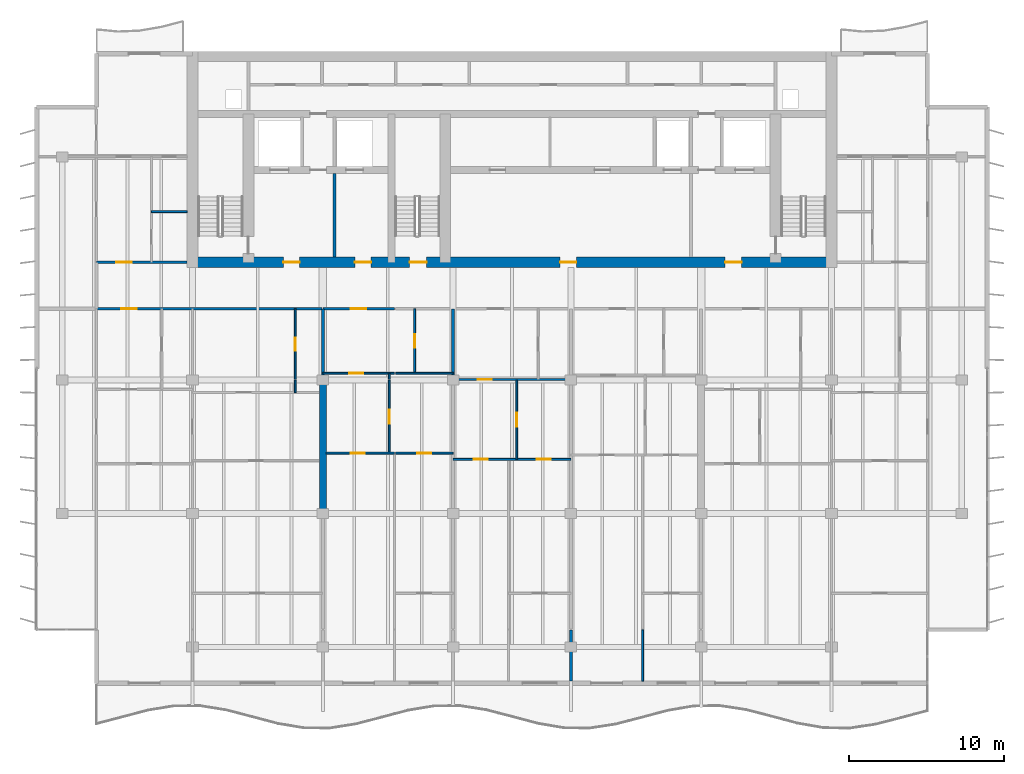
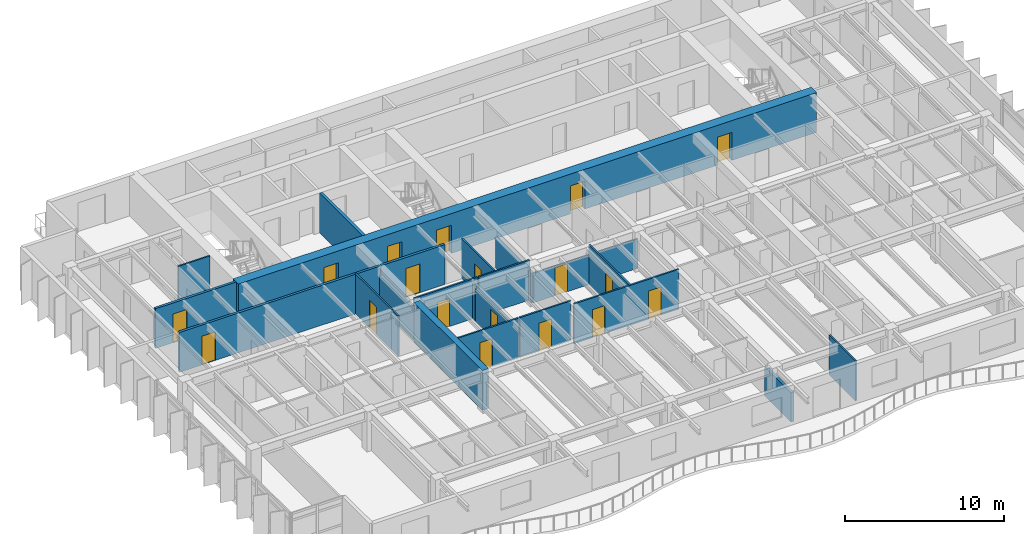
# One storey, part 7 of 16: 23 walls, 18 doors, 18 openings.
"""IFC4 building model written with IfcOpenShell, lengths in metres."""

from ifc_helpers import new_model, si_unit, direction, frame, frame_2d, origin, place, context, subcontext, project, spatial, rectangle, extrude, material, layer, layer_set, type_object, element, fill, save


model = new_model("IFC4")

# Units and contexts
model_context = context("Model", 3, precision=1e-05, world=origin(), true_north=direction((0.0, 1.0)))
body_context = subcontext(model_context, "Body", "Model", "MODEL_VIEW")
ifc_project = project(units=[si_unit("LENGTHUNIT", "METRE"), si_unit("AREAUNIT", "SQUARE_METRE"), si_unit("VOLUMEUNIT", "CUBIC_METRE"), si_unit("PLANEANGLEUNIT", "RADIAN"), si_unit("MASSUNIT", "GRAM", prefix="KILO")], contexts=[model_context])

# Site, building, storey
site_placement = place(None, origin())
site = spatial("IfcSite", under=ifc_project, at=site_placement, CompositionType="ELEMENT")
building_placement = place(site_placement, origin())
building = spatial("IfcBuilding", under=site, at=building_placement, Name="Caelmar Bay Residences", CompositionType="ELEMENT")
storey_placement = place(building_placement, frame((0.0, 0.0, 233.10009765625)))
storey = spatial("IfcBuildingStorey", under=building, at=storey_placement, Name="L65", CompositionType="ELEMENT", Elevation=233.10009765625)

# Wall, openings, doors
ifc_material_1 = material(Name="Concrete f'c 55 MPa (8,000 psi)", Category="concrete")
ifc_layer_1 = layer(ifc_material_1, 0.699951171875)
ifc_layer_set_1 = layer_set([ifc_layer_1], Name="Concrete f'c 55 MPa (8,000 psi)")
wall_type_1 = type_object("IfcWallType", Name="SW-COR-700", PredefinedType="SHEAR", material=ifc_layer_set_1)
wall_1_placement = place(storey_placement, frame((17.949951171875, 37.0, 0.0), z_axis=(0.0, 0.0, 1.0), x_axis=(1.0, 0.0, 0.0)))
wall_1 = element("IfcWall", 1, at=wall_1_placement, inside=storey, type_object=wall_type_1, Name="L65 Rear Core South Shear Wall", PredefinedType="SHEAR", context=body_context, shape_type="SweptSolid", body=[
    extrude(rectangle(XDim=41.900146484375, YDim=0.699951171875, at=frame_2d((20.9501953125, 0.0))), origin(), (0.0, 0.0, 1.0), 3.0498046875),
])
opening_1_placement = place(wall_1_placement, frame((14.35009765625, 0.0, 0.0)))
opening_1 = element("IfcOpeningElement", 2, at=opening_1_placement, cuts=wall_1, Name="Opening D-L65-105", PredefinedType="OPENING", context=body_context, shape_type="SweptSolid", body=[
    extrude(rectangle(XDim=1.10009765625, YDim=2.14990234375, at=frame_2d((0.550048828125, 1.074951171875))), frame((0.0, 0.35986328125, 0.0), z_axis=(0.0, -1.0, 0.0), x_axis=(1.0, 0.0, 0.0)), (0.0, 0.0, 1.0), 0.719970703125),
])
opening_2_placement = place(wall_1_placement, frame((6.199951171875, 0.0, 0.0)))
opening_2 = element("IfcOpeningElement", 3, at=opening_2_placement, cuts=wall_1, Name="Opening D-L65-106", PredefinedType="OPENING", context=body_context, shape_type="SweptSolid", body=[
    extrude(rectangle(XDim=1.050048828125, YDim=2.14990234375, at=frame_2d((0.52490234375, 1.074951171875))), frame((0.0, 0.35986328125, 0.0), z_axis=(0.0, -1.0, 0.0), x_axis=(1.0, 0.0, 0.0)), (0.0, 0.0, 1.0), 0.719970703125),
])
opening_3_placement = place(wall_1_placement, frame((34.699951171875, 0.0, 0.0)))
opening_3 = element("IfcOpeningElement", 4, at=opening_3_placement, cuts=wall_1, Name="Opening D-L65-109", PredefinedType="OPENING", context=body_context, shape_type="SweptSolid", body=[
    extrude(rectangle(XDim=1.050048828125, YDim=2.14990234375, at=frame_2d((0.52490234375, 1.074951171875))), frame((0.0, 0.35986328125, 0.0), z_axis=(0.0, -1.0, 0.0), x_axis=(1.0, 0.0, 0.0)), (0.0, 0.0, 1.0), 0.719970703125),
])
opening_4_placement = place(wall_1_placement, frame((10.8125, 0.0, 0.0)))
opening_4 = element("IfcOpeningElement", 5, at=opening_4_placement, cuts=wall_1, Name="Opening D-L65-112", PredefinedType="OPENING", context=body_context, shape_type="SweptSolid", body=[
    extrude(rectangle(XDim=1.050048828125, YDim=2.14990234375, at=frame_2d((0.52490234375, 1.074951171875))), frame((0.0, 0.35986328125, 0.0), z_axis=(0.0, -1.0, 0.0), x_axis=(1.0, 0.0, 0.0)), (0.0, 0.0, 1.0), 0.719970703125),
])
opening_5_placement = place(wall_1_placement, frame((24.050048828125, 0.0, 0.0)))
opening_5 = element("IfcOpeningElement", 6, at=opening_5_placement, cuts=wall_1, Name="Opening D-L65-113", PredefinedType="OPENING", context=body_context, shape_type="SweptSolid", body=[
    extrude(rectangle(XDim=1.050048828125, YDim=2.14990234375, at=frame_2d((0.52490234375, 1.074951171875))), frame((0.0, 0.35986328125, 0.0), z_axis=(0.0, -1.0, 0.0), x_axis=(1.0, 0.0, 0.0)), (0.0, 0.0, 1.0), 0.719970703125),
])
ifc_material_2 = material(Name="Fire-rated steel and walnut architectural door assembly", Category="steel")
ifc_layer_2 = layer(ifc_material_2, 0.050048828125)
ifc_layer_set_2 = layer_set([ifc_layer_2], Name="Fire-rated steel and walnut architectural door assembly")
door_type_1 = type_object("IfcDoorType", Name="D-FSAE-1050", OperationType="NOTDEFINED", PredefinedType="DOOR", material=ifc_layer_set_2)
door_1_placement = place(opening_2_placement, origin())
door_1 = element("IfcDoor", 7, at=door_1_placement, inside=storey, type_object=door_type_1, Name="L65 Firefighting Lobby West Door", OperationType="SINGLE_SWING_LEFT", OverallHeight=2.14990234375, OverallWidth=1.050048828125, PredefinedType="DOOR", context=body_context, shape_type="SweptSolid", body=[
    extrude(rectangle(XDim=1.050048828125, YDim=2.14990234375, at=frame_2d((0.52490234375, 1.074951171875))), frame((0.0, 0.02490234375, 0.0), z_axis=(0.0, -1.0, 0.0), x_axis=(1.0, 0.0, 0.0)), (0.0, 0.0, 1.0), 0.050048828125),
])
fill(opening_2, door_1)
door_2_placement = place(opening_3_placement, origin())
door_2 = element("IfcDoor", 8, at=door_2_placement, inside=storey, type_object=door_type_1, Name="L65 Firefighting Lobby East Door", OperationType="SINGLE_SWING_RIGHT", OverallHeight=2.14990234375, OverallWidth=1.050048828125, PredefinedType="DOOR", context=body_context, shape_type="SweptSolid", body=[
    extrude(rectangle(XDim=1.050048828125, YDim=2.14990234375, at=frame_2d((0.52490234375, 1.074951171875))), frame((0.0, 0.02490234375, 0.0), z_axis=(0.0, -1.0, 0.0), x_axis=(1.0, 0.0, 0.0)), (0.0, 0.0, 1.0), 0.050048828125),
])
fill(opening_3, door_2)
door_3_placement = place(opening_4_placement, origin())
door_3 = element("IfcDoor", 9, at=door_3_placement, inside=storey, type_object=door_type_1, Name="L65 West Lift Lobby Door", OperationType="SINGLE_SWING_LEFT", OverallHeight=2.14990234375, OverallWidth=1.050048828125, PredefinedType="DOOR", context=body_context, shape_type="SweptSolid", body=[
    extrude(rectangle(XDim=1.050048828125, YDim=2.14990234375, at=frame_2d((0.52490234375, 1.074951171875))), frame((0.0, 0.02490234375, 0.0), z_axis=(0.0, -1.0, 0.0), x_axis=(1.0, 0.0, 0.0)), (0.0, 0.0, 1.0), 0.050048828125),
])
fill(opening_4, door_3)
door_4_placement = place(opening_5_placement, origin())
door_4 = element("IfcDoor", 10, at=door_4_placement, inside=storey, type_object=door_type_1, Name="L65 Passenger Lift Lobby Door", OperationType="SINGLE_SWING_RIGHT", OverallHeight=2.14990234375, OverallWidth=1.050048828125, PredefinedType="DOOR", context=body_context, shape_type="SweptSolid", body=[
    extrude(rectangle(XDim=1.050048828125, YDim=2.14990234375, at=frame_2d((0.52490234375, 1.074951171875))), frame((0.0, 0.02490234375, 0.0), z_axis=(0.0, -1.0, 0.0), x_axis=(1.0, 0.0, 0.0)), (0.0, 0.0, 1.0), 0.050048828125),
])
fill(opening_5, door_4)
ifc_layer_3 = layer(ifc_material_2, 0.050048828125)
ifc_layer_set_3 = layer_set([ifc_layer_3], Name="Fire-rated steel and walnut architectural door assembly")
door_type_2 = type_object("IfcDoorType", Name="D-STAIR-1100", OperationType="NOTDEFINED", PredefinedType="DOOR", material=ifc_layer_set_3)
door_5_placement = place(opening_1_placement, origin())
door_5 = element("IfcDoor", 11, at=door_5_placement, inside=storey, type_object=door_type_2, Name="L65 Exit Stair ST3 Door", OperationType="SINGLE_SWING_RIGHT", OverallHeight=2.14990234375, OverallWidth=1.10009765625, PredefinedType="DOOR", context=body_context, shape_type="SweptSolid", body=[
    extrude(rectangle(XDim=1.10009765625, YDim=2.14990234375, at=frame_2d((0.550048828125, 1.074951171875))), frame((0.0, 0.02490234375, 0.0), z_axis=(0.0, -1.0, 0.0), x_axis=(1.0, 0.0, 0.0)), (0.0, 0.0, 1.0), 0.050048828125),
])
fill(opening_1, door_5)

# Wall
ifc_layer_4 = layer(ifc_material_1, 0.449951171875)
ifc_layer_set_4 = layer_set([ifc_layer_4], Name="Concrete f'c 55 MPa (8,000 psi)")
wall_type_2 = type_object("IfcWallType", Name="SW-XSLB-450", PredefinedType="SHEAR", material=ifc_layer_set_4)
wall_2_placement = place(storey_placement, frame((26.699951171875, 20.800048828125, 0.0), z_axis=(0.0, 0.0, 1.0), x_axis=(0.0, 1.0, 0.0)))
element("IfcWall", 12, at=wall_2_placement, inside=storey, type_object=wall_type_2, Name="L65 Transverse Cross-Slab Shear Wall W5", PredefinedType="SHEAR", context=body_context, shape_type="SweptSolid", body=[
    extrude(rectangle(XDim=8.599853515625, YDim=0.449951171875, at=frame_2d((4.2998046875, 0.0))), origin(), (0.0, 0.0, 1.0), 3.0498046875),
])

# Wall, opening, door
ifc_material_3 = material(Name="Double-stud acoustic fire-rated gypsum partition 180 mm")
ifc_layer_5 = layer(ifc_material_3, 0.179931640625)
ifc_layer_set_5 = layer_set([ifc_layer_5], Name="Double-stud acoustic fire-rated gypsum partition 180 mm")
wall_type_3 = type_object("IfcWallType", Name="W-COR-200", PredefinedType="PARTITIONING", material=ifc_layer_set_5)
wall_3_placement = place(storey_placement, frame((12.10498046875, 34.0, 0.0), z_axis=(0.0, 0.0, 1.0), x_axis=(1.0, 0.0, 0.0)))
wall_3 = element("IfcWall", 13, at=wall_3_placement, inside=storey, type_object=wall_type_3, Name="L65 Partition Wall H089", PredefinedType="PARTITIONING", context=body_context, shape_type="SweptSolid", body=[
    extrude(rectangle(XDim=14.544921875, YDim=0.179931640625, at=frame_2d((7.2724609375, 0.0))), origin(), (0.0, 0.0, 1.0), 3.0498046875),
])
opening_6_placement = place(wall_3_placement, frame((1.60693359375, 0.0, 0.0)))
opening_6 = element("IfcOpeningElement", 14, at=opening_6_placement, cuts=wall_3, Name="Opening D-L65-124", PredefinedType="OPENING", context=body_context, shape_type="SweptSolid", body=[
    extrude(rectangle(XDim=1.0, YDim=2.199951171875, at=frame_2d((0.5, 1.10009765625))), frame((0.0, 0.099853515625, 0.0), z_axis=(0.0, -1.0, 0.0), x_axis=(1.0, 0.0, 0.0)), (0.0, 0.0, 1.0), 0.199951171875),
])
ifc_layer_6 = layer(ifc_material_2, 0.050048828125)
ifc_layer_set_6 = layer_set([ifc_layer_6], Name="Fire-rated steel and walnut architectural door assembly")
door_type_3 = type_object("IfcDoorType", Name="D-UNIT-1000", OperationType="NOTDEFINED", PredefinedType="DOOR", material=ifc_layer_set_6)
door_6_placement = place(opening_6_placement, origin())
door_6 = element("IfcDoor", 15, at=door_6_placement, inside=storey, type_object=door_type_3, Name="L65 Residence 01 Apartment Hall Door", OperationType="SINGLE_SWING_LEFT", OverallHeight=2.199951171875, OverallWidth=1.0, PredefinedType="DOOR", context=body_context, shape_type="SweptSolid", body=[
    extrude(rectangle(XDim=1.0, YDim=2.199951171875, at=frame_2d((0.5, 1.10009765625))), frame((0.0, 0.02490234375, 0.0), z_axis=(0.0, -1.0, 0.0), x_axis=(1.0, 0.0, 0.0)), (0.0, 0.0, 1.0), 0.050048828125),
])
fill(opening_6, door_6)

wall_4_placement = place(storey_placement, frame((26.699951171875, 34.0, 0.0), z_axis=(0.0, 0.0, 1.0), x_axis=(1.0, 0.0, 0.0)))
wall_4 = element("IfcWall", 16, at=wall_4_placement, inside=storey, type_object=wall_type_3, Name="L65 Partition Wall H090", PredefinedType="PARTITIONING", context=body_context, shape_type="SweptSolid", body=[
    extrude(rectangle(XDim=4.6201171875, YDim=0.179931640625, at=frame_2d((2.31005859375, 0.0))), origin(), (0.0, 0.0, 1.0), 3.0498046875),
])
opening_7_placement = place(wall_4_placement, frame((1.81005859375, 0.0, 0.0)))
opening_7 = element("IfcOpeningElement", 17, at=opening_7_placement, cuts=wall_4, Name="Opening D-L65-133", PredefinedType="OPENING", context=body_context, shape_type="SweptSolid", body=[
    extrude(rectangle(XDim=1.0, YDim=2.199951171875, at=frame_2d((0.5, 1.10009765625))), frame((0.0, 0.099853515625, 0.0), z_axis=(0.0, -1.0, 0.0), x_axis=(1.0, 0.0, 0.0)), (0.0, 0.0, 1.0), 0.199951171875),
])
door_7_placement = place(opening_7_placement, origin())
door_7 = element("IfcDoor", 18, at=door_7_placement, inside=storey, type_object=door_type_3, Name="L65 Residence 02 Apartment Hall Door", OperationType="SINGLE_SWING_RIGHT", OverallHeight=2.199951171875, OverallWidth=1.0, PredefinedType="DOOR", context=body_context, shape_type="SweptSolid", body=[
    extrude(rectangle(XDim=1.0, YDim=2.199951171875, at=frame_2d((0.5, 1.10009765625))), frame((0.0, 0.02490234375, 0.0), z_axis=(0.0, -1.0, 0.0), x_axis=(1.0, 0.0, 0.0)), (0.0, 0.0, 1.0), 0.050048828125),
])
fill(opening_7, door_7)

wall_5_placement = place(storey_placement, frame((12.10009765625, 37.0, 0.0), z_axis=(0.0, 0.0, 1.0), x_axis=(1.0, 0.0, 0.0)))
wall_5 = element("IfcWall", 19, at=wall_5_placement, inside=storey, type_object=wall_type_3, Name="L65 Partition Wall H093", PredefinedType="PARTITIONING", context=body_context, shape_type="SweptSolid", body=[
    extrude(rectangle(XDim=5.844970703125, YDim=0.179931640625, at=frame_2d((2.92236328125, 0.0))), origin(), (0.0, 0.0, 1.0), 3.0498046875),
])
opening_8_placement = place(wall_5_placement, frame((1.27490234375, 0.0, 0.0)))
opening_8 = element("IfcOpeningElement", 20, at=opening_8_placement, cuts=wall_5, Name="Opening D-L65-166", PredefinedType="OPENING", context=body_context, shape_type="SweptSolid", body=[
    extrude(rectangle(XDim=1.0, YDim=2.199951171875, at=frame_2d((0.5, 1.10009765625))), frame((0.0, 0.099853515625, 0.0), z_axis=(0.0, -1.0, 0.0), x_axis=(1.0, 0.0, 0.0)), (0.0, 0.0, 1.0), 0.199951171875),
])
door_8_placement = place(opening_8_placement, origin())
door_8 = element("IfcDoor", 21, at=door_8_placement, inside=storey, type_object=door_type_3, Name="L65 Residence WA Kitchen Door", OperationType="SINGLE_SWING_LEFT", OverallHeight=2.199951171875, OverallWidth=1.0, PredefinedType="DOOR", context=body_context, shape_type="SweptSolid", body=[
    extrude(rectangle(XDim=1.0, YDim=2.199951171875, at=frame_2d((0.5, 1.10009765625))), frame((0.0, 0.02490234375, 0.0), z_axis=(0.0, -1.0, 0.0), x_axis=(1.0, 0.0, 0.0)), (0.0, 0.0, 1.0), 0.050048828125),
])
fill(opening_8, door_8)

# Walls
ifc_material_4 = material(Name="Fire-rated masonry and gypsum shaftliner assembly 200 mm", Category="masonry")
ifc_layer_7 = layer(ifc_material_4, 0.199951171875)
ifc_layer_set_7 = layer_set([ifc_layer_7], Name="Fire-rated masonry and gypsum shaftliner assembly 200 mm")
wall_type_4 = type_object("IfcWallType", Name="W-FSAE-200", PredefinedType="PARTITIONING", material=ifc_layer_set_7)
wall_6_placement = place(storey_placement, frame((27.449951171875, 37.344970703125, 0.0), z_axis=(0.0, 0.0, 1.0), x_axis=(0.0, 1.0, 0.0)))
element("IfcWall", 22, at=wall_6_placement, inside=storey, type_object=wall_type_4, Name="L65 Partition Wall V019", PredefinedType="PARTITIONING", context=body_context, shape_type="SweptSolid", body=[
    extrude(rectangle(XDim=5.385009765625, YDim=0.199951171875, at=frame_2d((2.6923828125, 0.0))), origin(), (0.0, 0.0, 1.0), 3.0498046875),
])
ifc_material_5 = material(Name="Acoustic metal-stud gypsum partition 120 mm")
ifc_layer_8 = layer(ifc_material_5, 0.1201171875)
ifc_layer_set_8 = layer_set([ifc_layer_8], Name="Acoustic metal-stud gypsum partition 120 mm")
wall_type_5 = type_object("IfcWallType", Name="W-PRT-120", PredefinedType="PARTITIONING", material=ifc_layer_set_8)
wall_7_placement = place(storey_placement, frame((24.922119140625, 28.60009765625, 0.0), z_axis=(0.0, 0.0, 1.0), x_axis=(0.0, 1.0, 0.0)))
element("IfcWall", 23, at=wall_7_placement, inside=storey, type_object=wall_type_5, Name="L65 Partition Wall V012", PredefinedType="PARTITIONING", context=body_context, shape_type="SweptSolid", body=[
    extrude(rectangle(XDim=0.7998046875, YDim=0.1201171875, at=frame_2d((0.39990234375, 0.0))), origin(), (0.0, 0.0, 1.0), 3.0498046875),
])

# Wall, opening, door
wall_8_placement = place(storey_placement, frame((24.922119140625, 29.43994140625, 0.0), z_axis=(0.0, 0.0, 1.0), x_axis=(0.0, 1.0, 0.0)))
wall_8 = element("IfcWall", 24, at=wall_8_placement, inside=storey, type_object=wall_type_5, Name="L65 Partition Wall V013", PredefinedType="PARTITIONING", context=body_context, shape_type="SweptSolid", body=[
    extrude(rectangle(XDim=4.56005859375, YDim=0.1201171875, at=frame_2d((2.280029296875, 0.0))), origin(), (0.0, 0.0, 1.0), 3.0498046875),
])
opening_9_placement = place(wall_8_placement, frame((1.85498046875, 0.0, 0.0)))
opening_9 = element("IfcOpeningElement", 25, at=opening_9_placement, cuts=wall_8, Name="Opening D-L65-130", PredefinedType="OPENING", context=body_context, shape_type="SweptSolid", body=[
    extrude(rectangle(XDim=0.85009765625, YDim=2.10009765625, at=frame_2d((0.425048828125, 1.050048828125))), frame((0.0, 0.070068359375, 0.0), z_axis=(0.0, -1.0, 0.0), x_axis=(1.0, 0.0, 0.0)), (0.0, 0.0, 1.0), 0.14013671875),
])
ifc_material_6 = material(Name="Solid walnut timber interior door leaf and frame", Category="wood")
ifc_layer_9 = layer(ifc_material_6, 0.050048828125)
ifc_layer_set_9 = layer_set([ifc_layer_9], Name="Solid walnut timber interior door leaf and frame")
door_type_4 = type_object("IfcDoorType", Name="D-BATH-850", OperationType="NOTDEFINED", PredefinedType="DOOR", material=ifc_layer_set_9)
door_9_placement = place(opening_9_placement, origin())
door_9 = element("IfcDoor", 26, at=door_9_placement, inside=storey, type_object=door_type_4, Name="L65 Residence 01 En-Suite Bathroom 1 Door", OperationType="SINGLE_SWING_LEFT", OverallHeight=2.10009765625, OverallWidth=0.85009765625, PredefinedType="DOOR", context=body_context, shape_type="SweptSolid", body=[
    extrude(rectangle(XDim=0.85009765625, YDim=2.10009765625, at=frame_2d((0.425048828125, 1.050048828125))), frame((0.0, 0.02490234375, 0.0), z_axis=(0.0, -1.0, 0.0), x_axis=(1.0, 0.0, 0.0)), (0.0, 0.0, 1.0), 0.050048828125),
])
fill(opening_9, door_9)

wall_9_placement = place(storey_placement, frame((30.986083984375, 24.68994140625, 0.0), z_axis=(0.0, 0.0, 1.0), x_axis=(0.0, 1.0, 0.0)))
wall_9 = element("IfcWall", 27, at=wall_9_placement, inside=storey, type_object=wall_type_5, Name="L65 Partition Wall V021", PredefinedType="PARTITIONING", context=body_context, shape_type="SweptSolid", body=[
    extrude(rectangle(XDim=4.7099609375, YDim=0.1201171875, at=frame_2d((2.35498046875, 0.0))), origin(), (0.0, 0.0, 1.0), 2.577880859375),
])
opening_10_placement = place(wall_9_placement, frame((1.905029296875, 0.0, 0.0)))
opening_10 = element("IfcOpeningElement", 28, at=opening_10_placement, cuts=wall_9, Name="Opening D-L65-136", PredefinedType="OPENING", context=body_context, shape_type="SweptSolid", body=[
    extrude(rectangle(XDim=0.89990234375, YDim=2.14990234375, at=frame_2d((0.449951171875, 1.074951171875))), frame((0.0, 0.070068359375, 0.0), z_axis=(0.0, -1.0, 0.0), x_axis=(1.0, 0.0, 0.0)), (0.0, 0.0, 1.0), 0.14013671875),
])
ifc_layer_10 = layer(ifc_material_6, 0.050048828125)
ifc_layer_set_10 = layer_set([ifc_layer_10], Name="Solid walnut timber interior door leaf and frame")
door_type_5 = type_object("IfcDoorType", Name="D-ROOM-900", OperationType="NOTDEFINED", PredefinedType="DOOR", material=ifc_layer_set_10)
door_10_placement = place(opening_10_placement, origin())
door_10 = element("IfcDoor", 29, at=door_10_placement, inside=storey, type_object=door_type_5, Name="L65 Residence 02 Home Office Door", OperationType="SINGLE_SWING_LEFT", OverallHeight=2.14990234375, OverallWidth=0.89990234375, PredefinedType="DOOR", context=body_context, shape_type="SweptSolid", body=[
    extrude(rectangle(XDim=0.89990234375, YDim=2.14990234375, at=frame_2d((0.449951171875, 1.074951171875))), frame((0.0, 0.02490234375, 0.0), z_axis=(0.0, -1.0, 0.0), x_axis=(1.0, 0.0, 0.0)), (0.0, 0.0, 1.0), 0.050048828125),
])
fill(opening_10, door_10)

# Wall
wall_10_placement = place(storey_placement, frame((30.986083984375, 29.43994140625, 0.0), z_axis=(0.0, 0.0, 1.0), x_axis=(0.0, 1.0, 0.0)))
element("IfcWall", 30, at=wall_10_placement, inside=storey, type_object=wall_type_5, Name="L65 Partition Wall V022", PredefinedType="PARTITIONING", context=body_context, shape_type="SweptSolid", body=[
    extrude(rectangle(XDim=0.400146484375, YDim=0.1201171875, at=frame_2d((0.2001953125, 0.0))), origin(), (0.0, 0.0, 1.0), 2.724853515625),
])

# Wall, opening, door
wall_11_placement = place(storey_placement, frame((32.6240234375, 29.840087890625, 0.0), z_axis=(0.0, 0.0, 1.0), x_axis=(0.0, 1.0, 0.0)))
wall_11 = element("IfcWall", 31, at=wall_11_placement, inside=storey, type_object=wall_type_5, Name="L65 Partition Wall V026", PredefinedType="PARTITIONING", context=body_context, shape_type="SweptSolid", body=[
    extrude(rectangle(XDim=4.159912109375, YDim=0.1201171875, at=frame_2d((2.080078125, 0.0))), origin(), (0.0, 0.0, 1.0), 3.0498046875),
])
opening_11_placement = place(wall_11_placement, frame((1.655029296875, 0.0, 0.0)))
opening_11 = element("IfcOpeningElement", 32, at=opening_11_placement, cuts=wall_11, Name="Opening D-L65-134", PredefinedType="OPENING", context=body_context, shape_type="SweptSolid", body=[
    extrude(rectangle(XDim=0.85009765625, YDim=2.10009765625, at=frame_2d((0.425048828125, 1.050048828125))), frame((0.0, 0.070068359375, 0.0), z_axis=(0.0, -1.0, 0.0), x_axis=(1.0, 0.0, 0.0)), (0.0, 0.0, 1.0), 0.14013671875),
])
door_11_placement = place(opening_11_placement, origin())
door_11 = element("IfcDoor", 33, at=door_11_placement, inside=storey, type_object=door_type_4, Name="L65 Residence 02 Bathroom Door", OperationType="SINGLE_SWING_LEFT", OverallHeight=2.10009765625, OverallWidth=0.85009765625, PredefinedType="DOOR", context=body_context, shape_type="SweptSolid", body=[
    extrude(rectangle(XDim=0.85009765625, YDim=2.10009765625, at=frame_2d((0.425048828125, 1.050048828125))), frame((0.0, 0.02490234375, 0.0), z_axis=(0.0, -1.0, 0.0), x_axis=(1.0, 0.0, 0.0)), (0.0, 0.0, 1.0), 0.050048828125),
])
fill(opening_11, door_11)

wall_12_placement = place(storey_placement, frame((39.2041015625, 24.2900390625, 0.0), z_axis=(0.0, 0.0, 1.0), x_axis=(0.0, 1.0, 0.0)))
wall_12 = element("IfcWall", 34, at=wall_12_placement, inside=storey, type_object=wall_type_5, Name="L65 Partition Wall V033", PredefinedType="PARTITIONING", context=body_context, shape_type="SweptSolid", body=[
    extrude(rectangle(XDim=5.10986328125, YDim=0.1201171875, at=frame_2d((2.554931640625, 0.0))), origin(), (0.0, 0.0, 1.0), 3.0498046875),
])
opening_12_placement = place(wall_12_placement, frame((2.10498046875, 0.0, 0.0)))
opening_12 = element("IfcOpeningElement", 35, at=opening_12_placement, cuts=wall_12, Name="Opening D-L65-143", PredefinedType="OPENING", context=body_context, shape_type="SweptSolid", body=[
    extrude(rectangle(XDim=0.89990234375, YDim=2.14990234375, at=frame_2d((0.449951171875, 1.074951171875))), frame((0.0, 0.070068359375, 0.0), z_axis=(0.0, -1.0, 0.0), x_axis=(1.0, 0.0, 0.0)), (0.0, 0.0, 1.0), 0.14013671875),
])
door_12_placement = place(opening_12_placement, origin())
door_12 = element("IfcDoor", 36, at=door_12_placement, inside=storey, type_object=door_type_5, Name="L65 Residence 03 Home Office Door", OperationType="SINGLE_SWING_RIGHT", OverallHeight=2.14990234375, OverallWidth=0.89990234375, PredefinedType="DOOR", context=body_context, shape_type="SweptSolid", body=[
    extrude(rectangle(XDim=0.89990234375, YDim=2.14990234375, at=frame_2d((0.449951171875, 1.074951171875))), frame((0.0, 0.02490234375, 0.0), z_axis=(0.0, -1.0, 0.0), x_axis=(1.0, 0.0, 0.0)), (0.0, 0.0, 1.0), 0.050048828125),
])
fill(opening_12, door_12)

# Wall
wall_13_placement = place(storey_placement, frame((47.320068359375, 9.9951171875, 0.0), z_axis=(0.0, 0.0, 1.0), x_axis=(0.0, 1.0, 0.0)))
element("IfcWall", 37, at=wall_13_placement, inside=storey, type_object=wall_type_5, Name="L65 Partition Wall V040", PredefinedType="PARTITIONING", context=body_context, shape_type="SweptSolid", body=[
    extrude(rectangle(XDim=3.304931640625, YDim=0.1201171875, at=frame_2d((1.65234375, 0.0))), origin(), (0.0, 0.0, 1.0), 3.0498046875),
])

# Wall, openings, doors
wall_14_placement = place(storey_placement, frame((35.10009765625, 24.2900390625, 0.0), z_axis=(0.0, 0.0, 1.0), x_axis=(1.0, 0.0, 0.0)))
wall_14 = element("IfcWall", 38, at=wall_14_placement, inside=storey, type_object=wall_type_5, Name="L65 Partition Wall H076", PredefinedType="PARTITIONING", context=body_context, shape_type="SweptSolid", body=[
    extrude(rectangle(XDim=7.599853515625, YDim=0.1201171875, at=frame_2d((3.7998046875, 0.0))), origin(), (0.0, 0.0, 1.0), 3.0498046875),
])
opening_13_placement = place(wall_14_placement, frame((1.3359375, 0.0, 0.0)))
opening_13 = element("IfcOpeningElement", 39, at=opening_13_placement, cuts=wall_14, Name="Opening D-L65-144", PredefinedType="OPENING", context=body_context, shape_type="SweptSolid", body=[
    extrude(rectangle(XDim=0.89990234375, YDim=2.14990234375, at=frame_2d((0.449951171875, 1.074951171875))), frame((0.0, 0.070068359375, 0.0), z_axis=(0.0, -1.0, 0.0), x_axis=(1.0, 0.0, 0.0)), (0.0, 0.0, 1.0), 0.14013671875),
])
opening_14_placement = place(wall_14_placement, frame((5.402099609375, 0.0, 0.0)))
opening_14 = element("IfcOpeningElement", 40, at=opening_14_placement, cuts=wall_14, Name="Opening D-L65-145", PredefinedType="OPENING", context=body_context, shape_type="SweptSolid", body=[
    extrude(rectangle(XDim=0.89990234375, YDim=2.14990234375, at=frame_2d((0.449951171875, 1.074951171875))), frame((0.0, 0.070068359375, 0.0), z_axis=(0.0, -1.0, 0.0), x_axis=(1.0, 0.0, 0.0)), (0.0, 0.0, 1.0), 0.14013671875),
])
door_13_placement = place(opening_13_placement, origin())
door_13 = element("IfcDoor", 41, at=door_13_placement, inside=storey, type_object=door_type_5, Name="L65 Residence 03 Living Room Door", OperationType="SINGLE_SWING_LEFT", OverallHeight=2.14990234375, OverallWidth=0.89990234375, PredefinedType="DOOR", context=body_context, shape_type="SweptSolid", body=[
    extrude(rectangle(XDim=0.89990234375, YDim=2.14990234375, at=frame_2d((0.449951171875, 1.074951171875))), frame((0.0, 0.02490234375, 0.0), z_axis=(0.0, -1.0, 0.0), x_axis=(1.0, 0.0, 0.0)), (0.0, 0.0, 1.0), 0.050048828125),
])
fill(opening_13, door_13)
door_14_placement = place(opening_14_placement, origin())
door_14 = element("IfcDoor", 42, at=door_14_placement, inside=storey, type_object=door_type_5, Name="L65 Residence 03 Bedroom 2 Door", OperationType="SINGLE_SWING_RIGHT", OverallHeight=2.14990234375, OverallWidth=0.89990234375, PredefinedType="DOOR", context=body_context, shape_type="SweptSolid", body=[
    extrude(rectangle(XDim=0.89990234375, YDim=2.14990234375, at=frame_2d((0.449951171875, 1.074951171875))), frame((0.0, 0.02490234375, 0.0), z_axis=(0.0, -1.0, 0.0), x_axis=(1.0, 0.0, 0.0)), (0.0, 0.0, 1.0), 0.050048828125),
])
fill(opening_14, door_14)

# Wall, opening, door
wall_15_placement = place(storey_placement, frame((26.919921875, 24.68994140625, 0.0), z_axis=(0.0, 0.0, 1.0), x_axis=(1.0, 0.0, 0.0)))
wall_15 = element("IfcWall", 43, at=wall_15_placement, inside=storey, type_object=wall_type_5, Name="L65 Partition Wall H078", PredefinedType="PARTITIONING", context=body_context, shape_type="SweptSolid", body=[
    extrude(rectangle(XDim=4.400146484375, YDim=0.1201171875, at=frame_2d((2.2001953125, 0.0))), origin(), (0.0, 0.0, 1.0), 3.0498046875),
])
opening_15_placement = place(wall_15_placement, frame((1.5830078125, 0.0, 0.0)))
opening_15 = element("IfcOpeningElement", 44, at=opening_15_placement, cuts=wall_15, Name="Opening D-L65-137", PredefinedType="OPENING", context=body_context, shape_type="SweptSolid", body=[
    extrude(rectangle(XDim=0.89990234375, YDim=2.14990234375, at=frame_2d((0.449951171875, 1.074951171875))), frame((0.0, 0.070068359375, 0.0), z_axis=(0.0, -1.0, 0.0), x_axis=(1.0, 0.0, 0.0)), (0.0, 0.0, 1.0), 0.14013671875),
])
door_15_placement = place(opening_15_placement, origin())
door_15 = element("IfcDoor", 45, at=door_15_placement, inside=storey, type_object=door_type_5, Name="L65 Residence 02 Living Room Door", OperationType="SINGLE_SWING_RIGHT", OverallHeight=2.14990234375, OverallWidth=0.89990234375, PredefinedType="DOOR", context=body_context, shape_type="SweptSolid", body=[
    extrude(rectangle(XDim=0.89990234375, YDim=2.14990234375, at=frame_2d((0.449951171875, 1.074951171875))), frame((0.0, 0.02490234375, 0.0), z_axis=(0.0, -1.0, 0.0), x_axis=(1.0, 0.0, 0.0)), (0.0, 0.0, 1.0), 0.050048828125),
])
fill(opening_15, door_15)

wall_16_placement = place(storey_placement, frame((31.39990234375, 24.68994140625, 0.0), z_axis=(0.0, 0.0, 1.0), x_axis=(1.0, 0.0, 0.0)))
wall_16 = element("IfcWall", 46, at=wall_16_placement, inside=storey, type_object=wall_type_5, Name="L65 Partition Wall H079", PredefinedType="PARTITIONING", context=body_context, shape_type="SweptSolid", body=[
    extrude(rectangle(XDim=3.7001953125, YDim=0.1201171875, at=frame_2d((1.85009765625, 0.0))), origin(), (0.0, 0.0, 1.0), 3.0498046875),
])
opening_16_placement = place(wall_16_placement, frame((1.39990234375, 0.0, 0.0)))
opening_16 = element("IfcOpeningElement", 47, at=opening_16_placement, cuts=wall_16, Name="Opening D-L65-138", PredefinedType="OPENING", context=body_context, shape_type="SweptSolid", body=[
    extrude(rectangle(XDim=0.89990234375, YDim=2.14990234375, at=frame_2d((0.449951171875, 1.074951171875))), frame((0.0, 0.070068359375, 0.0), z_axis=(0.0, -1.0, 0.0), x_axis=(1.0, 0.0, 0.0)), (0.0, 0.0, 1.0), 0.14013671875),
])
door_16_placement = place(opening_16_placement, origin())
door_16 = element("IfcDoor", 48, at=door_16_placement, inside=storey, type_object=door_type_5, Name="L65 Residence 02 Bedroom 2 Door", OperationType="SINGLE_SWING_LEFT", OverallHeight=2.14990234375, OverallWidth=0.89990234375, PredefinedType="DOOR", context=body_context, shape_type="SweptSolid", body=[
    extrude(rectangle(XDim=0.89990234375, YDim=2.14990234375, at=frame_2d((0.449951171875, 1.074951171875))), frame((0.0, 0.02490234375, 0.0), z_axis=(0.0, -1.0, 0.0), x_axis=(1.0, 0.0, 0.0)), (0.0, 0.0, 1.0), 0.050048828125),
])
fill(opening_16, door_16)

wall_17_placement = place(storey_placement, frame((35.10009765625, 29.43994140625, 0.0), z_axis=(0.0, 0.0, 1.0), x_axis=(1.0, 0.0, 0.0)))
wall_17 = element("IfcWall", 49, at=wall_17_placement, inside=storey, type_object=wall_type_5, Name="L65 Partition Wall H084", PredefinedType="PARTITIONING", context=body_context, shape_type="SweptSolid", body=[
    extrude(rectangle(XDim=7.599853515625, YDim=0.1201171875, at=frame_2d((3.7998046875, 0.0))), origin(), (0.0, 0.0, 1.0), 2.262939453125),
])
opening_17_placement = place(wall_17_placement, frame((1.60205078125, 0.0, 0.0)))
opening_17 = element("IfcOpeningElement", 50, at=opening_17_placement, cuts=wall_17, Name="Opening D-L65-142", PredefinedType="OPENING", context=body_context, shape_type="SweptSolid", body=[
    extrude(rectangle(XDim=0.89990234375, YDim=2.14990234375, at=frame_2d((0.449951171875, 1.074951171875))), frame((0.0, 0.070068359375, 0.0), z_axis=(0.0, -1.0, 0.0), x_axis=(1.0, 0.0, 0.0)), (0.0, 0.0, 1.0), 0.14013671875),
])
door_17_placement = place(opening_17_placement, origin())
door_17 = element("IfcDoor", 51, at=door_17_placement, inside=storey, type_object=door_type_5, Name="L65 Residence 03 Kitchen Door", OperationType="SINGLE_SWING_LEFT", OverallHeight=2.14990234375, OverallWidth=0.89990234375, PredefinedType="DOOR", context=body_context, shape_type="SweptSolid", body=[
    extrude(rectangle(XDim=0.89990234375, YDim=2.14990234375, at=frame_2d((0.449951171875, 1.074951171875))), frame((0.0, 0.02490234375, 0.0), z_axis=(0.0, -1.0, 0.0), x_axis=(1.0, 0.0, 0.0)), (0.0, 0.0, 1.0), 0.050048828125),
])
fill(opening_17, door_17)

wall_18_placement = place(storey_placement, frame((26.699951171875, 29.840087890625, 0.0), z_axis=(0.0, 0.0, 1.0), x_axis=(1.0, 0.0, 0.0)))
wall_18 = element("IfcWall", 52, at=wall_18_placement, inside=storey, type_object=wall_type_5, Name="L65 Partition Wall H086", PredefinedType="PARTITIONING", context=body_context, shape_type="SweptSolid", body=[
    extrude(rectangle(XDim=4.6201171875, YDim=0.1201171875, at=frame_2d((2.31005859375, 0.0))), origin(), (0.0, 0.0, 1.0), 3.0498046875),
])
opening_18_placement = place(wall_18_placement, frame((1.693115234375, 0.0, 0.0)))
opening_18 = element("IfcOpeningElement", 53, at=opening_18_placement, cuts=wall_18, Name="Opening D-L65-135", PredefinedType="OPENING", context=body_context, shape_type="SweptSolid", body=[
    extrude(rectangle(XDim=0.89990234375, YDim=2.14990234375, at=frame_2d((0.449951171875, 1.074951171875))), frame((0.0, 0.070068359375, 0.0), z_axis=(0.0, -1.0, 0.0), x_axis=(1.0, 0.0, 0.0)), (0.0, 0.0, 1.0), 0.14013671875),
])
door_18_placement = place(opening_18_placement, origin())
door_18 = element("IfcDoor", 54, at=door_18_placement, inside=storey, type_object=door_type_5, Name="L65 Residence 02 Kitchen Door", OperationType="SINGLE_SWING_RIGHT", OverallHeight=2.14990234375, OverallWidth=0.89990234375, PredefinedType="DOOR", context=body_context, shape_type="SweptSolid", body=[
    extrude(rectangle(XDim=0.89990234375, YDim=2.14990234375, at=frame_2d((0.449951171875, 1.074951171875))), frame((0.0, 0.02490234375, 0.0), z_axis=(0.0, -1.0, 0.0), x_axis=(1.0, 0.0, 0.0)), (0.0, 0.0, 1.0), 0.050048828125),
])
fill(opening_18, door_18)

# Walls
wall_19_placement = place(storey_placement, frame((31.39990234375, 29.840087890625, 0.0), z_axis=(0.0, 0.0, 1.0), x_axis=(1.0, 0.0, 0.0)))
element("IfcWall", 55, at=wall_19_placement, inside=storey, type_object=wall_type_5, Name="L65 Partition Wall H087", PredefinedType="PARTITIONING", context=body_context, shape_type="SweptSolid", body=[
    extrude(rectangle(XDim=3.7001953125, YDim=0.1201171875, at=frame_2d((1.85009765625, 0.0))), origin(), (0.0, 0.0, 1.0), 3.0498046875),
])
wall_20_placement = place(storey_placement, frame((15.64990234375, 40.263916015625, 0.0), z_axis=(0.0, 0.0, 1.0), x_axis=(1.0, 0.0, 0.0)))
element("IfcWall", 56, at=wall_20_placement, inside=storey, type_object=wall_type_5, Name="L65 Partition Wall H095", PredefinedType="PARTITIONING", context=body_context, shape_type="SweptSolid", body=[
    extrude(rectangle(XDim=2.30517578125, YDim=0.1201171875, at=frame_2d((1.152587890625, 0.0))), origin(), (0.0, 0.0, 1.0), 3.0498046875),
])
ifc_material_7 = material(Name="Acoustic twin-stud fire-rated inter-tenancy partition 200 mm")
ifc_layer_11 = layer(ifc_material_7, 0.199951171875)
ifc_layer_set_11 = layer_set([ifc_layer_11], Name="Acoustic twin-stud fire-rated inter-tenancy partition 200 mm")
wall_type_6 = type_object("IfcWallType", Name="W-PTY-200", PredefinedType="PARTITIONING", material=ifc_layer_set_11)
wall_21_placement = place(storey_placement, frame((26.699951171875, 29.43994140625, 0.0), z_axis=(0.0, 0.0, 1.0), x_axis=(0.0, 1.0, 0.0)))
element("IfcWall", 57, at=wall_21_placement, inside=storey, type_object=wall_type_6, Name="L65 Partition Wall V018", PredefinedType="PARTITIONING", context=body_context, shape_type="SweptSolid", body=[
    extrude(rectangle(XDim=4.56005859375, YDim=0.199951171875, at=frame_2d((2.280029296875, 0.0))), origin(), (0.0, 0.0, 1.0), 2.3349609375),
])
wall_22_placement = place(storey_placement, frame((35.10009765625, 29.43994140625, 0.0), z_axis=(0.0, 0.0, 1.0), x_axis=(0.0, 1.0, 0.0)))
element("IfcWall", 58, at=wall_22_placement, inside=storey, type_object=wall_type_6, Name="L65 Partition Wall V029", PredefinedType="PARTITIONING", context=body_context, shape_type="SweptSolid", body=[
    extrude(rectangle(XDim=4.56005859375, YDim=0.199951171875, at=frame_2d((2.280029296875, 0.0))), origin(), (0.0, 0.0, 1.0), 2.262939453125),
])
wall_23_placement = place(storey_placement, frame((42.699951171875, 9.9951171875, 0.0), z_axis=(0.0, 0.0, 1.0), x_axis=(0.0, 1.0, 0.0)))
element("IfcWall", 59, at=wall_23_placement, inside=storey, type_object=wall_type_6, Name="L65 Partition Wall V036", PredefinedType="PARTITIONING", context=body_context, shape_type="SweptSolid", body=[
    extrude(rectangle(XDim=3.304931640625, YDim=0.199951171875, at=frame_2d((1.65234375, 0.0))), origin(), (0.0, 0.0, 1.0), 2.262939453125),
])

save(model, "model.ifc")
